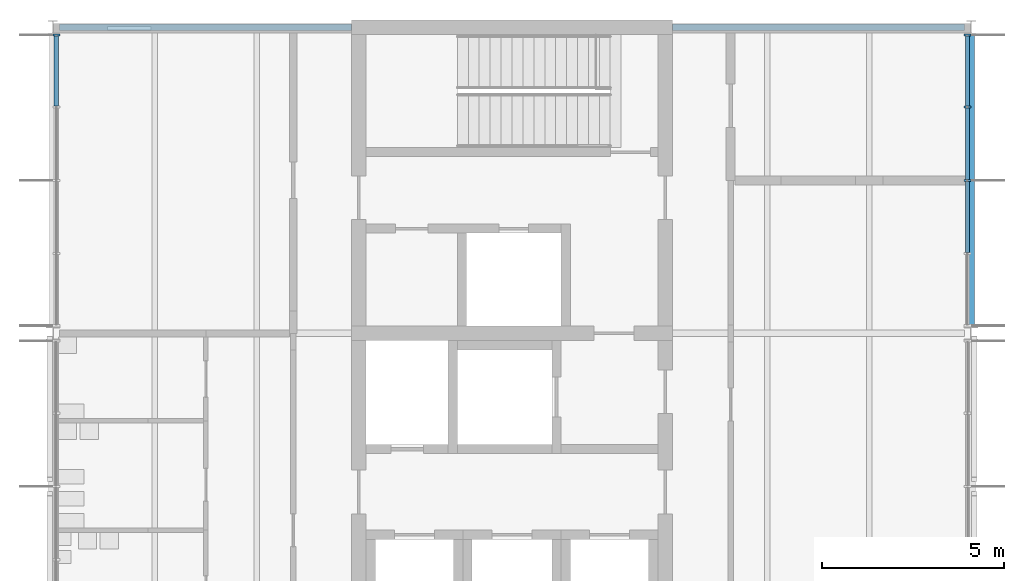
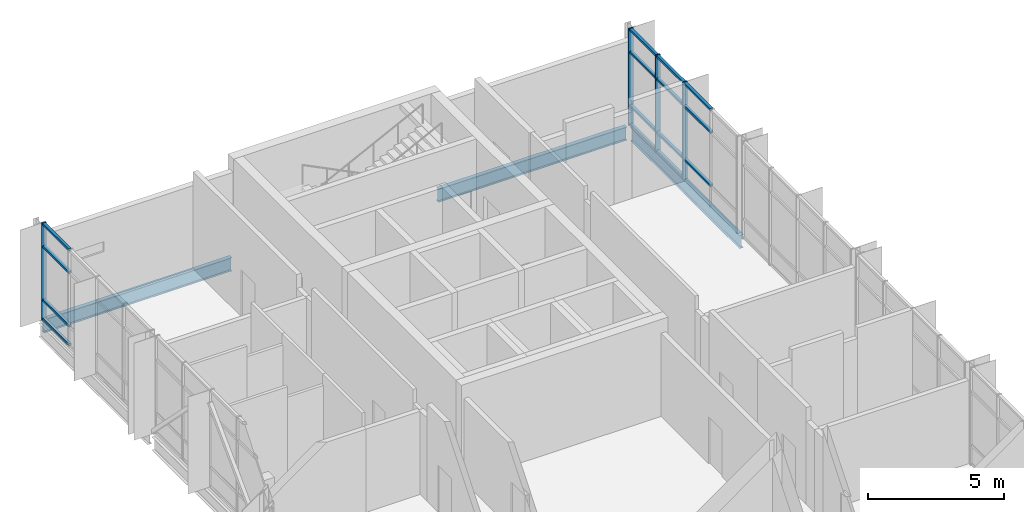
# One storey, part 5 of 15: 19 members, 3 beams, 2 elements without a shape of their own.
"""IFC4 building model written with IfcOpenShell, lengths in metres."""

from ifc_helpers import new_model, si_unit, direction, frame, origin, origin_2d, place, context, subcontext, project, spatial, rectangle, i_section, extrude, material, material_profile, profile_set, type_object, element, aggregate, save


model = new_model("IFC4")

# Units and contexts
model_context = context("Model", 3, precision=1e-05, world=origin(), true_north=direction((0.0, 1.0)))
body_context = subcontext(model_context, "Body", "Model", "MODEL_VIEW")
ifc_project = project(units=[si_unit("LENGTHUNIT", "METRE"), si_unit("AREAUNIT", "SQUARE_METRE"), si_unit("VOLUMEUNIT", "CUBIC_METRE"), si_unit("PLANEANGLEUNIT", "RADIAN"), si_unit("MASSUNIT", "GRAM", prefix="KILO")], contexts=[model_context])

# Site, building, storey
site_placement = place(None, origin())
site = spatial("IfcSite", under=ifc_project, at=site_placement, CompositionType="ELEMENT")
building_placement = place(site_placement, origin())
building = spatial("IfcBuilding", under=site, at=building_placement, Name="Hlaing Beacon Police Headquarters", CompositionType="ELEMENT")
storey_placement = place(building_placement, frame((0.0, 0.0, 32.39990234375)))
storey = spatial("IfcBuildingStorey", under=building, at=storey_placement, Name="L07", CompositionType="ELEMENT", Elevation=32.39990234375)

# Beams
ifc_material_1 = material(Name="Steel ASTM A992 Grade 50", Category="steel")
ifc_material_profile_1 = material_profile(ifc_material_1, i_section(OverallWidth=0.177978515625, OverallDepth=0.599365234375, WebThickness=0.010009765625, FlangeThickness=0.012939453125, FilletRadius=0.012939453125, at=origin_2d()), Name="W24x55")
ifc_profile_set_1 = profile_set([ifc_material_profile_1], Name="Steel ASTM A992 Grade 50")
beam_type = type_object("IfcBeamType", Name="Girder W24x55", PredefinedType="BEAM", material=ifc_profile_set_1)
beam_1_placement = place(storey_placement, frame((100.98388671875, 67.199951171875, -0.4296875), z_axis=(1.0, 0.0, 0.0), x_axis=(0.0, 1.0, 0.0)))
element("IfcBeam", 1, at=beam_1_placement, inside=storey, type_object=beam_type, Name="STR-BM-L07-GX-N9-P9", PredefinedType="BEAM", context=body_context, shape_type="SweptSolid", body=[
    extrude(i_section(OverallWidth=0.177978515625, OverallDepth=0.599365234375, WebThickness=0.010009765625, FlangeThickness=0.012939453125, FilletRadius=0.012939453125, at=origin_2d()), origin(), (0.0, 0.0, 1.0), 8.01611328125),
])
beam_2_placement = place(storey_placement, frame((117.800048828125, 67.199951171875, -0.4296875), z_axis=(1.0, 0.0, 0.0), x_axis=(0.0, 1.0, 0.0)))
element("IfcBeam", 2, at=beam_2_placement, inside=storey, type_object=beam_type, Name="STR-BM-L07-GX-Q9-R9", PredefinedType="BEAM", context=body_context, shape_type="SweptSolid", body=[
    extrude(i_section(OverallWidth=0.177978515625, OverallDepth=0.599365234375, WebThickness=0.010009765625, FlangeThickness=0.012939453125, FilletRadius=0.012939453125, at=origin_2d()), origin(), (0.0, 0.0, 1.0), 8.015869140625),
])
beam_3_placement = place(storey_placement, frame((126.0, 58.98193359375, -0.4296875), z_axis=(0.0, 1.0, 0.0), x_axis=(-1.0, 0.0, 0.0)))
element("IfcBeam", 3, at=beam_3_placement, inside=storey, type_object=beam_type, Name="STR-BM-L07-GY-R8-R9", PredefinedType="BEAM", context=body_context, shape_type="SweptSolid", body=[
    extrude(i_section(OverallWidth=0.177978515625, OverallDepth=0.599365234375, WebThickness=0.010009765625, FlangeThickness=0.012939453125, FilletRadius=0.012939453125, at=origin_2d()), origin(), (0.0, 0.0, 1.0), 8.0400390625),
])

# Curtain wall, members
ifc_material_2 = material(Name="Aluminium frame with solar control glazing", Category="aluminium")
curtain_wall_type = type_object("IfcCurtainWallType", Name="Unitised curtain wall 8.04 x 4.37", PredefinedType="NOTDEFINED", material=ifc_material_2)
curtain_wall_1_placement = place(storey_placement, origin())
curtain_wall_1 = element("IfcCurtainWall", 4, at=curtain_wall_1_placement, inside=storey, type_object=curtain_wall_type, Name="ENV-CW-L07-E004", PredefinedType="NOTDEFINED")
ifc_material_3 = material(Name="Aluminium", Category="aluminium")
ifc_material_profile_2 = material_profile(ifc_material_3, rectangle(XDim=0.199951171875, YDim=0.06005859375, at=origin_2d()), Name="Mullion 60x200")
ifc_profile_set_2 = profile_set([ifc_material_profile_2], Name="Aluminium")
member_type_1 = type_object("IfcMemberType", Name="Mullion 60x200", PredefinedType="MULLION", material=ifc_profile_set_2)
member_1_placement = place(storey_placement, frame((125.89990234375, 63.0, 0.0), z_axis=(0.0, 0.0, 1.0), x_axis=(-1.0, 0.0, 0.0)))
member_1 = element("IfcMember", 5, at=member_1_placement, type_object=member_type_1, Name="CW-L07-E004 mullion 3", PredefinedType="MULLION", context=body_context, shape_type="SweptSolid", body=[
    extrude(rectangle(XDim=0.199951171875, YDim=0.06005859375, at=origin_2d()), origin(), (0.0, 0.0, 1.0), 4.3701171875),
])
member_2_placement = place(storey_placement, frame((125.89990234375, 65.009765625, 0.0), z_axis=(0.0, 0.0, 1.0), x_axis=(-1.0, 0.0, 0.0)))
member_2 = element("IfcMember", 6, at=member_2_placement, type_object=member_type_1, Name="CW-L07-E004 mullion 4", PredefinedType="MULLION", context=body_context, shape_type="SweptSolid", body=[
    extrude(rectangle(XDim=0.199951171875, YDim=0.06005859375, at=origin_2d()), origin(), (0.0, 0.0, 1.0), 4.3701171875),
])
member_3_placement = place(storey_placement, frame((125.89990234375, 66.98974609375, 0.0), z_axis=(0.0, 0.0, 1.0), x_axis=(-1.0, 0.0, 0.0)))
member_3 = element("IfcMember", 7, at=member_3_placement, type_object=member_type_1, Name="CW-L07-E004 mullion 5", PredefinedType="MULLION", context=body_context, shape_type="SweptSolid", body=[
    extrude(rectangle(XDim=0.199951171875, YDim=0.06005859375, at=origin_2d()), origin(), (0.0, 0.0, 1.0), 4.3701171875),
])

# Curtain wall, member
curtain_wall_2_placement = place(storey_placement, origin())
curtain_wall_2 = element("IfcCurtainWall", 8, at=curtain_wall_2_placement, inside=storey, type_object=curtain_wall_type, Name="ENV-CW-L07-W005", PredefinedType="NOTDEFINED")
member_4_placement = place(storey_placement, frame((100.89990234375, 66.98974609375, 0.0), z_axis=(0.0, 0.0, 1.0), x_axis=(1.0, 0.0, 0.0)))
member_4 = element("IfcMember", 9, at=member_4_placement, type_object=member_type_1, Name="CW-L07-W005 mullion 1", PredefinedType="MULLION", context=body_context, shape_type="SweptSolid", body=[
    extrude(rectangle(XDim=0.199951171875, YDim=0.06005859375, at=origin_2d()), origin(), (0.0, 0.0, 1.0), 4.3701171875),
])

# Member
ifc_material_4 = material(Name="Aluminium", Category="aluminium")
ifc_material_profile_3 = material_profile(ifc_material_4, rectangle(XDim=0.1201171875, YDim=0.10009765625, at=origin_2d()), Name="Transom 120x100")
ifc_profile_set_3 = profile_set([ifc_material_profile_3], Name="Aluminium")
member_type_2 = type_object("IfcMemberType", Name="Transom 120x100", PredefinedType="USERDEFINED", material=ifc_profile_set_3)
member_5_placement = place(storey_placement, frame((125.89990234375, 61.020263671875, 0.900146484375), z_axis=(0.0, 1.0, 0.0), x_axis=(-1.0, 0.0, 0.0)))
member_5 = element("IfcMember", 10, at=member_5_placement, type_object=member_type_2, Name="CW-L07-E004 transom 2.2", ObjectType="TRANSOM", PredefinedType="USERDEFINED", context=body_context, shape_type="SweptSolid", body=[
    extrude(rectangle(XDim=0.1201171875, YDim=0.10009765625, at=origin_2d()), origin(), (0.0, 0.0, 1.0), 1.94970703125),
])

member_6_placement = place(storey_placement, frame((125.89990234375, 61.020263671875, 3.300048828125), z_axis=(0.0, 1.0, 0.0), x_axis=(-1.0, 0.0, 0.0)))
member_6 = element("IfcMember", 11, at=member_6_placement, type_object=member_type_2, Name="CW-L07-E004 transom 2.3", ObjectType="TRANSOM", PredefinedType="USERDEFINED", context=body_context, shape_type="SweptSolid", body=[
    extrude(rectangle(XDim=0.1201171875, YDim=0.10009765625, at=origin_2d()), origin(), (0.0, 0.0, 1.0), 1.94970703125),
])

member_7_placement = place(storey_placement, frame((125.89990234375, 61.020263671875, 4.320068359375), z_axis=(0.0, 1.0, 0.0), x_axis=(-1.0, 0.0, 0.0)))
member_7 = element("IfcMember", 12, at=member_7_placement, type_object=member_type_2, Name="CW-L07-E004 transom 2.4", ObjectType="TRANSOM", PredefinedType="USERDEFINED", context=body_context, shape_type="SweptSolid", body=[
    extrude(rectangle(XDim=0.1201171875, YDim=0.10009765625, at=origin_2d()), origin(), (0.0, 0.0, 1.0), 1.94970703125),
])

member_8_placement = place(storey_placement, frame((125.89990234375, 63.030029296875, 0.050048828125), z_axis=(0.0, 1.0, 0.0), x_axis=(-1.0, 0.0, 0.0)))
member_8 = element("IfcMember", 13, at=member_8_placement, type_object=member_type_2, Name="CW-L07-E004 transom 3.1", ObjectType="TRANSOM", PredefinedType="USERDEFINED", context=body_context, shape_type="SweptSolid", body=[
    extrude(rectangle(XDim=0.1201171875, YDim=0.10009765625, at=origin_2d()), origin(), (0.0, 0.0, 1.0), 1.94970703125),
])

member_9_placement = place(storey_placement, frame((125.89990234375, 63.030029296875, 0.900146484375), z_axis=(0.0, 1.0, 0.0), x_axis=(-1.0, 0.0, 0.0)))
member_9 = element("IfcMember", 14, at=member_9_placement, type_object=member_type_2, Name="CW-L07-E004 transom 3.2", ObjectType="TRANSOM", PredefinedType="USERDEFINED", context=body_context, shape_type="SweptSolid", body=[
    extrude(rectangle(XDim=0.1201171875, YDim=0.10009765625, at=origin_2d()), origin(), (0.0, 0.0, 1.0), 1.94970703125),
])

member_10_placement = place(storey_placement, frame((125.89990234375, 63.030029296875, 3.300048828125), z_axis=(0.0, 1.0, 0.0), x_axis=(-1.0, 0.0, 0.0)))
member_10 = element("IfcMember", 15, at=member_10_placement, type_object=member_type_2, Name="CW-L07-E004 transom 3.3", ObjectType="TRANSOM", PredefinedType="USERDEFINED", context=body_context, shape_type="SweptSolid", body=[
    extrude(rectangle(XDim=0.1201171875, YDim=0.10009765625, at=origin_2d()), origin(), (0.0, 0.0, 1.0), 1.94970703125),
])

member_11_placement = place(storey_placement, frame((125.89990234375, 63.030029296875, 4.320068359375), z_axis=(0.0, 1.0, 0.0), x_axis=(-1.0, 0.0, 0.0)))
member_11 = element("IfcMember", 16, at=member_11_placement, type_object=member_type_2, Name="CW-L07-E004 transom 3.4", ObjectType="TRANSOM", PredefinedType="USERDEFINED", context=body_context, shape_type="SweptSolid", body=[
    extrude(rectangle(XDim=0.1201171875, YDim=0.10009765625, at=origin_2d()), origin(), (0.0, 0.0, 1.0), 1.94970703125),
])

member_12_placement = place(storey_placement, frame((125.89990234375, 65.039794921875, 0.050048828125), z_axis=(0.0, 1.0, 0.0), x_axis=(-1.0, 0.0, 0.0)))
member_12 = element("IfcMember", 17, at=member_12_placement, type_object=member_type_2, Name="CW-L07-E004 transom 4.1", ObjectType="TRANSOM", PredefinedType="USERDEFINED", context=body_context, shape_type="SweptSolid", body=[
    extrude(rectangle(XDim=0.1201171875, YDim=0.10009765625, at=origin_2d()), origin(), (0.0, 0.0, 1.0), 1.919921875),
])

member_13_placement = place(storey_placement, frame((125.89990234375, 65.039794921875, 0.900146484375), z_axis=(0.0, 1.0, 0.0), x_axis=(-1.0, 0.0, 0.0)))
member_13 = element("IfcMember", 18, at=member_13_placement, type_object=member_type_2, Name="CW-L07-E004 transom 4.2", ObjectType="TRANSOM", PredefinedType="USERDEFINED", context=body_context, shape_type="SweptSolid", body=[
    extrude(rectangle(XDim=0.1201171875, YDim=0.10009765625, at=origin_2d()), origin(), (0.0, 0.0, 1.0), 1.919921875),
])

member_14_placement = place(storey_placement, frame((125.89990234375, 65.039794921875, 3.300048828125), z_axis=(0.0, 1.0, 0.0), x_axis=(-1.0, 0.0, 0.0)))
member_14 = element("IfcMember", 19, at=member_14_placement, type_object=member_type_2, Name="CW-L07-E004 transom 4.3", ObjectType="TRANSOM", PredefinedType="USERDEFINED", context=body_context, shape_type="SweptSolid", body=[
    extrude(rectangle(XDim=0.1201171875, YDim=0.10009765625, at=origin_2d()), origin(), (0.0, 0.0, 1.0), 1.919921875),
])

member_15_placement = place(storey_placement, frame((125.89990234375, 65.039794921875, 4.320068359375), z_axis=(0.0, 1.0, 0.0), x_axis=(-1.0, 0.0, 0.0)))
member_15 = element("IfcMember", 20, at=member_15_placement, type_object=member_type_2, Name="CW-L07-E004 transom 4.4", ObjectType="TRANSOM", PredefinedType="USERDEFINED", context=body_context, shape_type="SweptSolid", body=[
    extrude(rectangle(XDim=0.1201171875, YDim=0.10009765625, at=origin_2d()), origin(), (0.0, 0.0, 1.0), 1.919921875),
])

aggregate(curtain_wall_1, [member_1, member_2, member_3, member_5, member_6, member_7, member_8, member_9, member_10, member_11, member_12, member_13, member_14, member_15])

member_16_placement = place(storey_placement, frame((100.89990234375, 66.959716796875, 0.050048828125), z_axis=(0.0, -1.0, 0.0), x_axis=(1.0, 0.0, 0.0)))
member_16 = element("IfcMember", 21, at=member_16_placement, type_object=member_type_2, Name="CW-L07-W005 transom 1.1", ObjectType="TRANSOM", PredefinedType="USERDEFINED", context=body_context, shape_type="SweptSolid", body=[
    extrude(rectangle(XDim=0.1201171875, YDim=0.10009765625, at=origin_2d()), origin(), (0.0, 0.0, 1.0), 1.919921875),
])

member_17_placement = place(storey_placement, frame((100.89990234375, 66.959716796875, 0.900146484375), z_axis=(0.0, -1.0, 0.0), x_axis=(1.0, 0.0, 0.0)))
member_17 = element("IfcMember", 22, at=member_17_placement, type_object=member_type_2, Name="CW-L07-W005 transom 1.2", ObjectType="TRANSOM", PredefinedType="USERDEFINED", context=body_context, shape_type="SweptSolid", body=[
    extrude(rectangle(XDim=0.1201171875, YDim=0.10009765625, at=origin_2d()), origin(), (0.0, 0.0, 1.0), 1.919921875),
])

member_18_placement = place(storey_placement, frame((100.89990234375, 66.959716796875, 3.300048828125), z_axis=(0.0, -1.0, 0.0), x_axis=(1.0, 0.0, 0.0)))
member_18 = element("IfcMember", 23, at=member_18_placement, type_object=member_type_2, Name="CW-L07-W005 transom 1.3", ObjectType="TRANSOM", PredefinedType="USERDEFINED", context=body_context, shape_type="SweptSolid", body=[
    extrude(rectangle(XDim=0.1201171875, YDim=0.10009765625, at=origin_2d()), origin(), (0.0, 0.0, 1.0), 1.919921875),
])

member_19_placement = place(storey_placement, frame((100.89990234375, 66.959716796875, 4.320068359375), z_axis=(0.0, -1.0, 0.0), x_axis=(1.0, 0.0, 0.0)))
member_19 = element("IfcMember", 24, at=member_19_placement, type_object=member_type_2, Name="CW-L07-W005 transom 1.4", ObjectType="TRANSOM", PredefinedType="USERDEFINED", context=body_context, shape_type="SweptSolid", body=[
    extrude(rectangle(XDim=0.1201171875, YDim=0.10009765625, at=origin_2d()), origin(), (0.0, 0.0, 1.0), 1.919921875),
])

aggregate(curtain_wall_2, [member_4, member_16, member_17, member_18, member_19])

save(model, "model.ifc")
